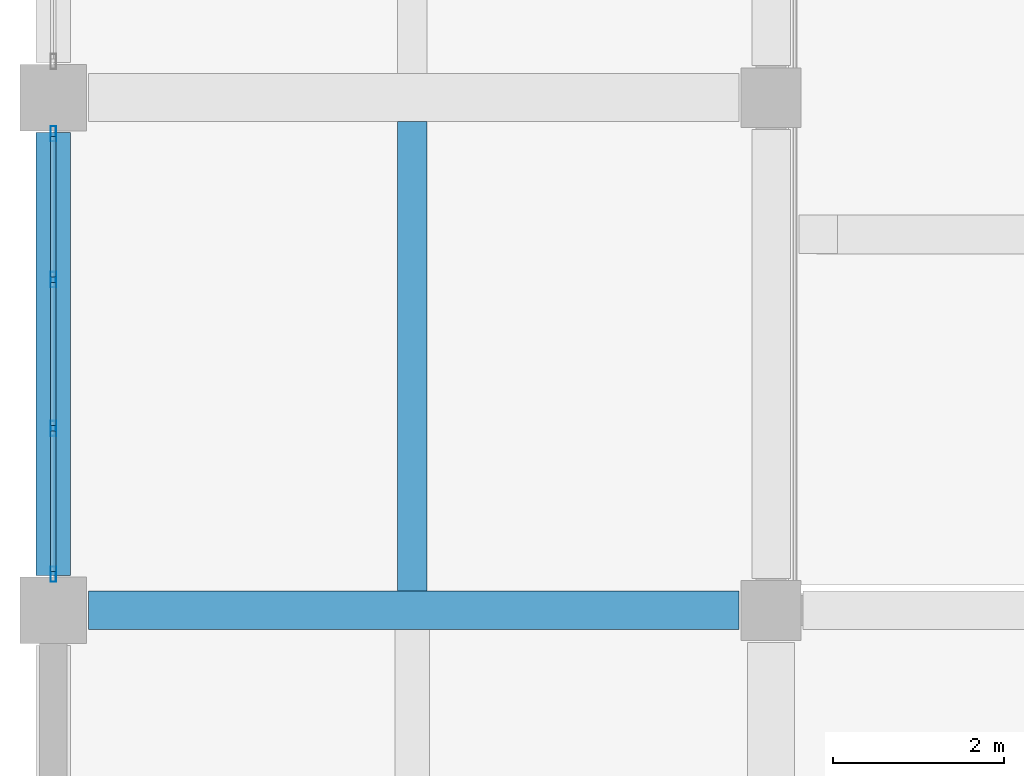
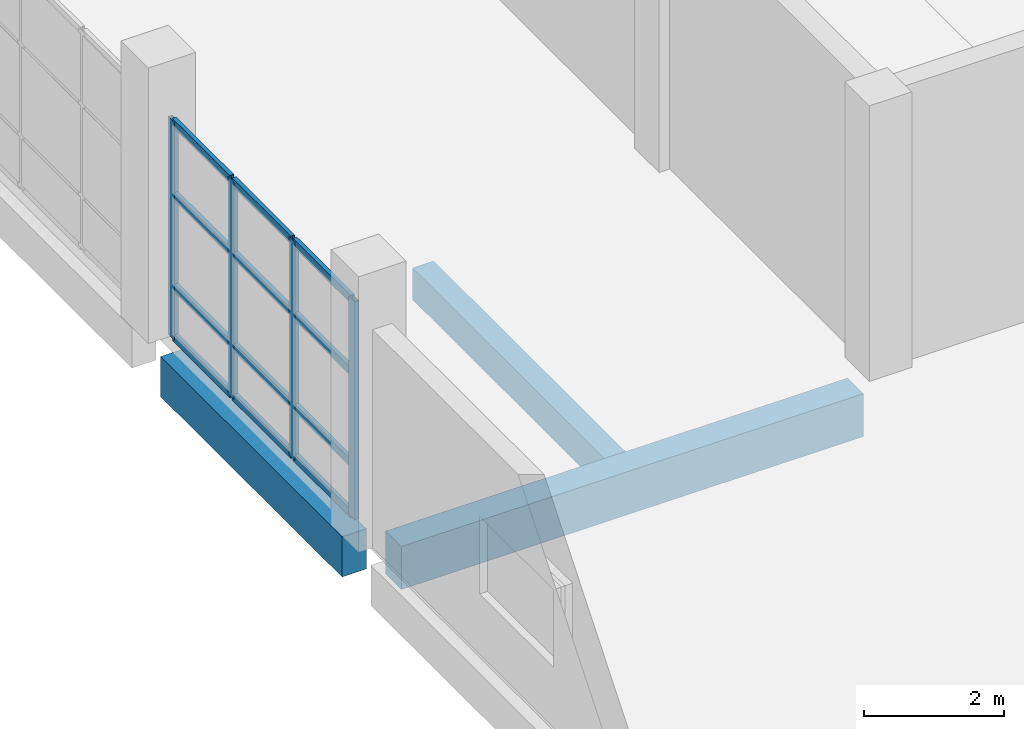
# One storey, part 9 of 91: 16 members, 3 beams, 1 element without a shape of its own.
"""IFC4 building model written with IfcOpenShell, lengths in metres."""

from ifc_helpers import new_model, si_unit, direction, frame, origin, origin_2d, place, context, subcontext, project, spatial, rectangle, hollow_rectangle, extrude, material, material_profile, profile_set, type_object, element, aggregate, save


model = new_model("IFC4")

# Units and contexts
model_context = context("Model", 3, precision=1e-05, world=origin(), true_north=direction((0.0, 1.0)))
body_context = subcontext(model_context, "Body", "Model", "MODEL_VIEW")
ifc_project = project(units=[si_unit("LENGTHUNIT", "METRE"), si_unit("AREAUNIT", "SQUARE_METRE"), si_unit("VOLUMEUNIT", "CUBIC_METRE"), si_unit("PLANEANGLEUNIT", "RADIAN"), si_unit("MASSUNIT", "GRAM", prefix="KILO")], contexts=[model_context])

# Site, building, storey
site_placement = place(None, origin())
site = spatial("IfcSite", under=ifc_project, at=site_placement, CompositionType="ELEMENT")
building_placement = place(site_placement, origin())
building = spatial("IfcBuilding", under=site, at=building_placement, Name="Pellamere Symphony Hall", CompositionType="ELEMENT")
storey_placement = place(building_placement, frame((0.0, 0.0, 5.39990234375)))
storey = spatial("IfcBuildingStorey", under=building, at=storey_placement, Name="L01", CompositionType="ELEMENT", Elevation=5.39990234375)

# Curtain wall, members
ifc_material_1 = material(Name="Thermally Broken Anodised Aluminium 6063-T6 Curtain Wall", Category="aluminium")
curtain_wall_type = type_object("IfcCurtainWallType", Name="Curtain Wall CW-04 (Chamber Music Lobby Curtain Wall)", PredefinedType="NOTDEFINED", material=ifc_material_1)
curtain_wall_placement = place(storey_placement, origin())
curtain_wall = element("IfcCurtainWall", 1, at=curtain_wall_placement, inside=storey, type_object=curtain_wall_type, Name="Chamber West Gallery Curtain Wall (L01 Bay 1)", PredefinedType="NOTDEFINED")
ifc_material_2 = material(Name="Anodised Architectural Aluminium 6063-T6", Category="aluminium")
ifc_material_profile_1 = material_profile(ifc_material_2, hollow_rectangle(XDim=0.06494140625, YDim=0.179931640625, WallThickness=0.00390625, at=origin_2d()), Name="ALU-M65X180X4")
ifc_profile_set_1 = profile_set([ifc_material_profile_1], Name="Anodised Architectural Aluminium 6063-T6")
member_type_1 = type_object("IfcMemberType", Name="Curtain Wall Mullion ML-02 ALU-M65X180X4", PredefinedType="MULLION", material=ifc_profile_set_1)
member_1_placement = place(storey_placement, frame((0.0, 18.422607421875, 0.0), z_axis=(0.0, 0.0, 1.0), x_axis=(-1.0, 0.0, 0.0)))
member_1 = element("IfcMember", 2, at=member_1_placement, type_object=member_type_1, Name="CW4W-121 crystal mullion 1", PredefinedType="MULLION", context=body_context, shape_type="SweptSolid", body=[
    extrude(hollow_rectangle(XDim=0.06494140625, YDim=0.179931640625, WallThickness=0.00390625, at=origin_2d()), origin(), (0.0, 0.0, 1.0), 3.800048828125),
])
member_2_placement = place(storey_placement, frame((0.0, 20.1298828125, 0.0), z_axis=(0.0, 0.0, 1.0), x_axis=(-1.0, 0.0, 0.0)))
member_2 = element("IfcMember", 3, at=member_2_placement, type_object=member_type_1, Name="CW4W-121 crystal mullion 2", PredefinedType="MULLION", context=body_context, shape_type="SweptSolid", body=[
    extrude(hollow_rectangle(XDim=0.06494140625, YDim=0.179931640625, WallThickness=0.00390625, at=origin_2d()), origin(), (0.0, 0.0, 1.0), 3.800048828125),
])
member_3_placement = place(storey_placement, frame((0.0, 21.8701171875, 0.0), z_axis=(0.0, 0.0, 1.0), x_axis=(-1.0, 0.0, 0.0)))
member_3 = element("IfcMember", 4, at=member_3_placement, type_object=member_type_1, Name="CW4W-121 crystal mullion 3", PredefinedType="MULLION", context=body_context, shape_type="SweptSolid", body=[
    extrude(hollow_rectangle(XDim=0.06494140625, YDim=0.179931640625, WallThickness=0.00390625, at=origin_2d()), origin(), (0.0, 0.0, 1.0), 3.800048828125),
])
member_4_placement = place(storey_placement, frame((0.0, 23.577392578125, 0.0), z_axis=(0.0, 0.0, 1.0), x_axis=(-1.0, 0.0, 0.0)))
member_4 = element("IfcMember", 5, at=member_4_placement, type_object=member_type_1, Name="CW4W-121 crystal mullion 4", PredefinedType="MULLION", context=body_context, shape_type="SweptSolid", body=[
    extrude(hollow_rectangle(XDim=0.06494140625, YDim=0.179931640625, WallThickness=0.00390625, at=origin_2d()), origin(), (0.0, 0.0, 1.0), 3.800048828125),
])
ifc_material_profile_2 = material_profile(ifc_material_2, hollow_rectangle(XDim=0.06494140625, YDim=0.139892578125, WallThickness=0.00390625, at=origin_2d()), Name="ALU-T65X140X4")
ifc_profile_set_2 = profile_set([ifc_material_profile_2], Name="Anodised Architectural Aluminium 6063-T6")
member_type_2 = type_object("IfcMemberType", Name="Curtain Wall Transom TR-02 ALU-T65X140X4", PredefinedType="USERDEFINED", material=ifc_profile_set_2)
member_5_placement = place(storey_placement, frame((0.0, 18.455078125, 0.03271484375), z_axis=(0.0, 1.0, 0.0), x_axis=(-1.0, 0.0, 0.0)))
member_5 = element("IfcMember", 6, at=member_5_placement, type_object=member_type_2, Name="CW4W-121 crystal transom 1.1", ObjectType="TRANSOM", PredefinedType="USERDEFINED", context=body_context, shape_type="SweptSolid", body=[
    extrude(hollow_rectangle(XDim=0.06494140625, YDim=0.139892578125, WallThickness=0.00390625, at=origin_2d()), origin(), (0.0, 0.0, 1.0), 1.642333984375),
])
member_6_placement = place(storey_placement, frame((0.0, 18.455078125, 0.912109375), z_axis=(0.0, 1.0, 0.0), x_axis=(-1.0, 0.0, 0.0)))
member_6 = element("IfcMember", 7, at=member_6_placement, type_object=member_type_2, Name="CW4W-121 crystal transom 1.2", ObjectType="TRANSOM", PredefinedType="USERDEFINED", context=body_context, shape_type="SweptSolid", body=[
    extrude(hollow_rectangle(XDim=0.06494140625, YDim=0.139892578125, WallThickness=0.00390625, at=origin_2d()), origin(), (0.0, 0.0, 1.0), 1.642333984375),
])
member_7_placement = place(storey_placement, frame((0.0, 18.455078125, 2.508056640625), z_axis=(0.0, 1.0, 0.0), x_axis=(-1.0, 0.0, 0.0)))
member_7 = element("IfcMember", 8, at=member_7_placement, type_object=member_type_2, Name="CW4W-121 crystal transom 1.3", ObjectType="TRANSOM", PredefinedType="USERDEFINED", context=body_context, shape_type="SweptSolid", body=[
    extrude(hollow_rectangle(XDim=0.06494140625, YDim=0.139892578125, WallThickness=0.00390625, at=origin_2d()), origin(), (0.0, 0.0, 1.0), 1.642333984375),
])
member_8_placement = place(storey_placement, frame((0.0, 18.455078125, 3.767578125), z_axis=(0.0, 1.0, 0.0), x_axis=(-1.0, 0.0, 0.0)))
member_8 = element("IfcMember", 9, at=member_8_placement, type_object=member_type_2, Name="CW4W-121 crystal transom 1.4", ObjectType="TRANSOM", PredefinedType="USERDEFINED", context=body_context, shape_type="SweptSolid", body=[
    extrude(hollow_rectangle(XDim=0.06494140625, YDim=0.139892578125, WallThickness=0.00390625, at=origin_2d()), origin(), (0.0, 0.0, 1.0), 1.642333984375),
])
member_9_placement = place(storey_placement, frame((0.0, 20.16259765625, 0.03271484375), z_axis=(0.0, 1.0, 0.0), x_axis=(-1.0, 0.0, 0.0)))
member_9 = element("IfcMember", 10, at=member_9_placement, type_object=member_type_2, Name="CW4W-121 crystal transom 2.1", ObjectType="TRANSOM", PredefinedType="USERDEFINED", context=body_context, shape_type="SweptSolid", body=[
    extrude(hollow_rectangle(XDim=0.06494140625, YDim=0.139892578125, WallThickness=0.00390625, at=origin_2d()), origin(), (0.0, 0.0, 1.0), 1.6748046875),
])
member_10_placement = place(storey_placement, frame((0.0, 20.16259765625, 0.912109375), z_axis=(0.0, 1.0, 0.0), x_axis=(-1.0, 0.0, 0.0)))
member_10 = element("IfcMember", 11, at=member_10_placement, type_object=member_type_2, Name="CW4W-121 crystal transom 2.2", ObjectType="TRANSOM", PredefinedType="USERDEFINED", context=body_context, shape_type="SweptSolid", body=[
    extrude(hollow_rectangle(XDim=0.06494140625, YDim=0.139892578125, WallThickness=0.00390625, at=origin_2d()), origin(), (0.0, 0.0, 1.0), 1.6748046875),
])
member_11_placement = place(storey_placement, frame((0.0, 20.16259765625, 2.508056640625), z_axis=(0.0, 1.0, 0.0), x_axis=(-1.0, 0.0, 0.0)))
member_11 = element("IfcMember", 12, at=member_11_placement, type_object=member_type_2, Name="CW4W-121 crystal transom 2.3", ObjectType="TRANSOM", PredefinedType="USERDEFINED", context=body_context, shape_type="SweptSolid", body=[
    extrude(hollow_rectangle(XDim=0.06494140625, YDim=0.139892578125, WallThickness=0.00390625, at=origin_2d()), origin(), (0.0, 0.0, 1.0), 1.6748046875),
])
member_12_placement = place(storey_placement, frame((0.0, 20.16259765625, 3.767578125), z_axis=(0.0, 1.0, 0.0), x_axis=(-1.0, 0.0, 0.0)))
member_12 = element("IfcMember", 13, at=member_12_placement, type_object=member_type_2, Name="CW4W-121 crystal transom 2.4", ObjectType="TRANSOM", PredefinedType="USERDEFINED", context=body_context, shape_type="SweptSolid", body=[
    extrude(hollow_rectangle(XDim=0.06494140625, YDim=0.139892578125, WallThickness=0.00390625, at=origin_2d()), origin(), (0.0, 0.0, 1.0), 1.6748046875),
])
member_13_placement = place(storey_placement, frame((0.0, 21.902587890625, 0.03271484375), z_axis=(0.0, 1.0, 0.0), x_axis=(-1.0, 0.0, 0.0)))
member_13 = element("IfcMember", 14, at=member_13_placement, type_object=member_type_2, Name="CW4W-121 crystal transom 3.1", ObjectType="TRANSOM", PredefinedType="USERDEFINED", context=body_context, shape_type="SweptSolid", body=[
    extrude(hollow_rectangle(XDim=0.06494140625, YDim=0.139892578125, WallThickness=0.00390625, at=origin_2d()), origin(), (0.0, 0.0, 1.0), 1.642333984375),
])
member_14_placement = place(storey_placement, frame((0.0, 21.902587890625, 0.912109375), z_axis=(0.0, 1.0, 0.0), x_axis=(-1.0, 0.0, 0.0)))
member_14 = element("IfcMember", 15, at=member_14_placement, type_object=member_type_2, Name="CW4W-121 crystal transom 3.2", ObjectType="TRANSOM", PredefinedType="USERDEFINED", context=body_context, shape_type="SweptSolid", body=[
    extrude(hollow_rectangle(XDim=0.06494140625, YDim=0.139892578125, WallThickness=0.00390625, at=origin_2d()), origin(), (0.0, 0.0, 1.0), 1.642333984375),
])
member_15_placement = place(storey_placement, frame((0.0, 21.902587890625, 2.508056640625), z_axis=(0.0, 1.0, 0.0), x_axis=(-1.0, 0.0, 0.0)))
member_15 = element("IfcMember", 16, at=member_15_placement, type_object=member_type_2, Name="CW4W-121 crystal transom 3.3", ObjectType="TRANSOM", PredefinedType="USERDEFINED", context=body_context, shape_type="SweptSolid", body=[
    extrude(hollow_rectangle(XDim=0.06494140625, YDim=0.139892578125, WallThickness=0.00390625, at=origin_2d()), origin(), (0.0, 0.0, 1.0), 1.642333984375),
])
member_16_placement = place(storey_placement, frame((0.0, 21.902587890625, 3.767578125), z_axis=(0.0, 1.0, 0.0), x_axis=(-1.0, 0.0, 0.0)))
member_16 = element("IfcMember", 17, at=member_16_placement, type_object=member_type_2, Name="CW4W-121 crystal transom 3.4", ObjectType="TRANSOM", PredefinedType="USERDEFINED", context=body_context, shape_type="SweptSolid", body=[
    extrude(hollow_rectangle(XDim=0.06494140625, YDim=0.139892578125, WallThickness=0.00390625, at=origin_2d()), origin(), (0.0, 0.0, 1.0), 1.642333984375),
])
aggregate(curtain_wall, [member_1, member_2, member_3, member_4, member_5, member_6, member_7, member_8, member_9, member_10, member_11, member_12, member_13, member_14, member_15, member_16])

# Beams
ifc_material_3 = material(Name="Concrete 35 MPa", Category="concrete")
ifc_material_profile_3 = material_profile(ifc_material_3, rectangle(XDim=0.35009765625, YDim=0.550048828125, at=origin_2d()), Name="RC 350x550")
ifc_profile_set_3 = profile_set([ifc_material_profile_3], Name="Concrete 35 MPa")
beam_type_1 = type_object("IfcBeamType", Name="RC CB-10 350x550", PredefinedType="BEAM", material=ifc_profile_set_3)
beam_1_placement = place(storey_placement, frame((4.199951171875, 18.22509765625, -0.56982421875), z_axis=(0.0, 1.0, 0.0), x_axis=(-1.0, 0.0, 0.0)))
element("IfcBeam", 18, at=beam_1_placement, inside=storey, type_object=beam_type_1, Name="Secondary Floor Beam CB-10-M0002 (L01)", PredefinedType="BEAM", context=body_context, shape_type="SweptSolid", body=[
    extrude(rectangle(XDim=0.35009765625, YDim=0.550048828125, at=origin_2d()), origin(), (0.0, 0.0, 1.0), 5.494873046875),
])
ifc_material_4 = material(Name="Concrete 40 MPa", Category="concrete")
ifc_material_profile_4 = material_profile(ifc_material_4, rectangle(XDim=0.449951171875, YDim=0.75, at=origin_2d()), Name="RC 450x750")
ifc_profile_set_4 = profile_set([ifc_material_profile_4], Name="Concrete 40 MPa")
beam_type_2 = type_object("IfcBeamType", Name="RC CB-12 450x750", PredefinedType="SPANDREL", material=ifc_profile_set_4)
beam_2_placement = place(storey_placement, frame((0.409912109375, 18.0, -0.65478515625), z_axis=(1.0, 0.0, 0.0), x_axis=(0.0, 1.0, 0.0)))
element("IfcBeam", 19, at=beam_2_placement, inside=storey, type_object=beam_type_2, Name="Girder CB-12-X0542 (L01)", PredefinedType="SPANDREL", context=body_context, shape_type="SweptSolid", body=[
    extrude(rectangle(XDim=0.449951171875, YDim=0.75, at=origin_2d()), origin(), (0.0, 0.0, 1.0), 7.614990234375),
])
ifc_material_profile_5 = material_profile(ifc_material_4, rectangle(XDim=0.39990234375, YDim=0.699951171875, at=origin_2d()), Name="RC 400x700")
ifc_profile_set_5 = profile_set([ifc_material_profile_5], Name="Concrete 40 MPa")
beam_type_3 = type_object("IfcBeamType", Name="RC CB-13 400x700", PredefinedType="SPANDREL", material=ifc_profile_set_5)
beam_3_placement = place(storey_placement, frame((0.0, 18.409912109375, -0.6298828125), z_axis=(0.0, 1.0, 0.0), x_axis=(-1.0, 0.0, 0.0)))
element("IfcBeam", 20, at=beam_3_placement, inside=storey, type_object=beam_type_3, Name="Girder CB-13-Y0715 (L01)", PredefinedType="SPANDREL", context=body_context, shape_type="SweptSolid", body=[
    extrude(rectangle(XDim=0.39990234375, YDim=0.699951171875, at=origin_2d()), origin(), (0.0, 0.0, 1.0), 5.18017578125),
])

save(model, "model.ifc")
